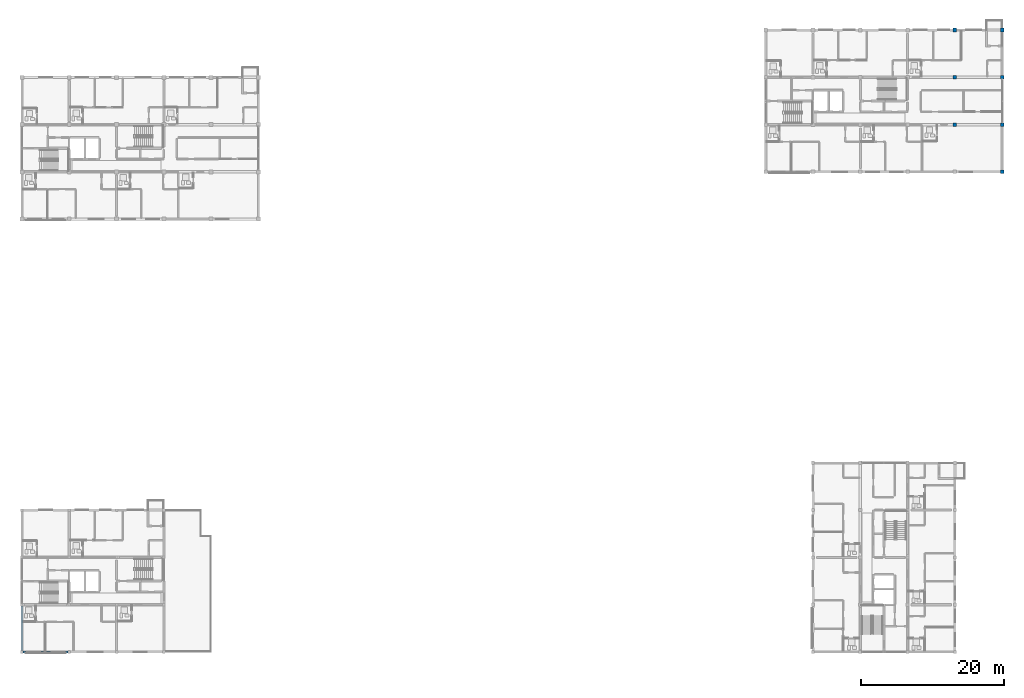
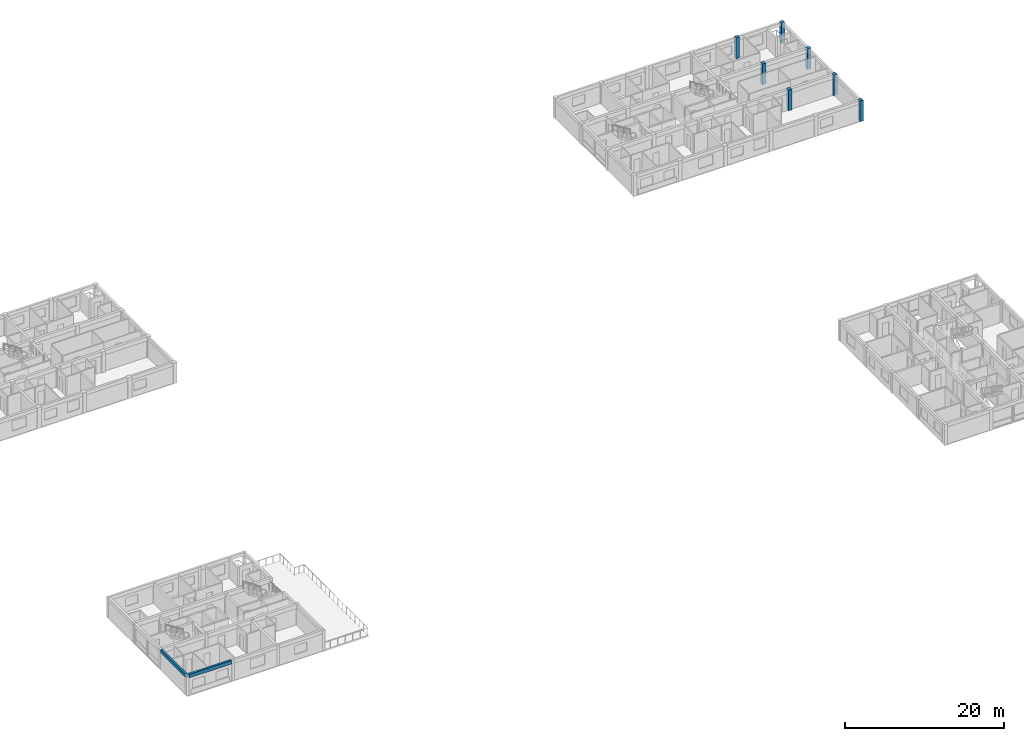
# One storey, part 3 of 46: 7 columns, 2 beams.
"""IFC4 building model written with IfcOpenShell, lengths in metres."""

from ifc_helpers import new_model, si_unit, direction, frame, origin, origin_2d, place, context, subcontext, project, spatial, rectangle, extrude, material, material_profile, profile_set, type_object, element, save


model = new_model("IFC4")

# Units and contexts
model_context = context("Model", 3, precision=1e-05, world=origin(), true_north=direction((0.0, 1.0)))
body_context = subcontext(model_context, "Body", "Model", "MODEL_VIEW")
ifc_project = project(units=[si_unit("LENGTHUNIT", "METRE"), si_unit("AREAUNIT", "SQUARE_METRE"), si_unit("VOLUMEUNIT", "CUBIC_METRE"), si_unit("PLANEANGLEUNIT", "RADIAN"), si_unit("MASSUNIT", "GRAM", prefix="KILO")], contexts=[model_context])

# Site, building, storey
site_placement = place(None, origin())
site = spatial("IfcSite", under=ifc_project, at=site_placement, CompositionType="ELEMENT")
building_placement = place(site_placement, origin())
building = spatial("IfcBuilding", under=site, at=building_placement, Name="Kernevlak Ridge Housing Community", CompositionType="ELEMENT")
storey_placement = place(building_placement, frame((0.0, 0.0, 27.60009765625)))
storey = spatial("IfcBuildingStorey", under=building, at=storey_placement, Name="L08", CompositionType="ELEMENT", Elevation=27.60009765625)

# Columns
ifc_material_1 = material(Name="Concrete C40/50", Category="concrete")
ifc_material_profile_1 = material_profile(ifc_material_1, rectangle(XDim=0.5, YDim=0.5, at=origin_2d()), Name="RC 500x500")
ifc_profile_set_1 = profile_set([ifc_material_profile_1], Name="Concrete C40/50")
column_type = type_object("IfcColumnType", Name="C-03", PredefinedType="COLUMN", material=ifc_profile_set_1)
for number, where, z_axis, x_axis, name in (
    (1, (145.800048828125, 89.199951171875, 0.0), (0.0, 0.0, 1.0), (1.0, 0.0, 0.0), "Column C-03 COL-B-L08-04-1"),
    (2, (145.800048828125, 95.800048828125, 0.0), (0.0, 0.0, 1.0), (1.0, 0.0, 0.0), "Column C-03 COL-B-L08-04-2"),
    (3, (145.800048828125, 102.39990234375, 0.0), (0.0, 0.0, 1.0), (1.0, 0.0, 0.0), "Column C-03 COL-B-L08-04-3"),
    (4, (152.39990234375, 82.60009765625, 0.0), (0.0, 0.0, 1.0), (1.0, 0.0, 0.0), "Column C-03 COL-B-L08-05-0"),
    (5, (152.39990234375, 89.199951171875, 0.0), (0.0, 0.0, 1.0), (1.0, 0.0, 0.0), "Column C-03 COL-B-L08-05-1"),
    (6, (152.39990234375, 95.800048828125, 0.0), (0.0, 0.0, 1.0), (1.0, 0.0, 0.0), "Column C-03 COL-B-L08-05-2"),
    (7, (152.39990234375, 102.39990234375, 0.0), (0.0, 0.0, 1.0), (1.0, 0.0, 0.0), "Column C-03 COL-B-L08-05-3"),
):
    element("IfcColumn", number, at=place(storey_placement, frame(where, z_axis=z_axis, x_axis=x_axis)), inside=storey, type_object=column_type, Name=name, PredefinedType="COLUMN", context=body_context, shape_type="SweptSolid", body=[
        extrude(rectangle(XDim=0.5, YDim=0.5, at=origin_2d()), origin(), (0.0, 0.0, 1.0), 3.199951171875),
    ])

# Beams
ifc_material_2 = material(Name="Concrete C35/45", Category="concrete")
ifc_material_profile_2 = material_profile(ifc_material_2, rectangle(XDim=0.300048828125, YDim=0.550048828125, at=origin_2d()), Name="RC 300x550")
ifc_profile_set_2 = profile_set([ifc_material_profile_2], Name="Concrete C35/45")
beam_type = type_object("IfcBeamType", Name="SP-01", PredefinedType="SPANDREL", material=ifc_profile_set_2)
for number, where, z_axis, x_axis, name in (
    (8, (15.77490234375, 15.60009765625, 2.9248046875), (1.0, 0.0, 0.0), (0.0, 1.0, 0.0), "Beam SP-01 L08 1498"),
    (9, (15.60009765625, 15.77490234375, 2.9248046875), (0.0, 1.0, 0.0), (-1.0, 0.0, 0.0), "Beam SP-01 L08 1510"),
):
    element("IfcBeam", number, at=place(storey_placement, frame(where, z_axis=z_axis, x_axis=x_axis)), inside=storey, type_object=beam_type, Name=name, PredefinedType="SPANDREL", context=body_context, shape_type="SweptSolid", body=[
        extrude(rectangle(XDim=0.300048828125, YDim=0.550048828125, at=origin_2d()), origin(), (0.0, 0.0, 1.0), 6.25),
    ])

save(model, "model.ifc")
